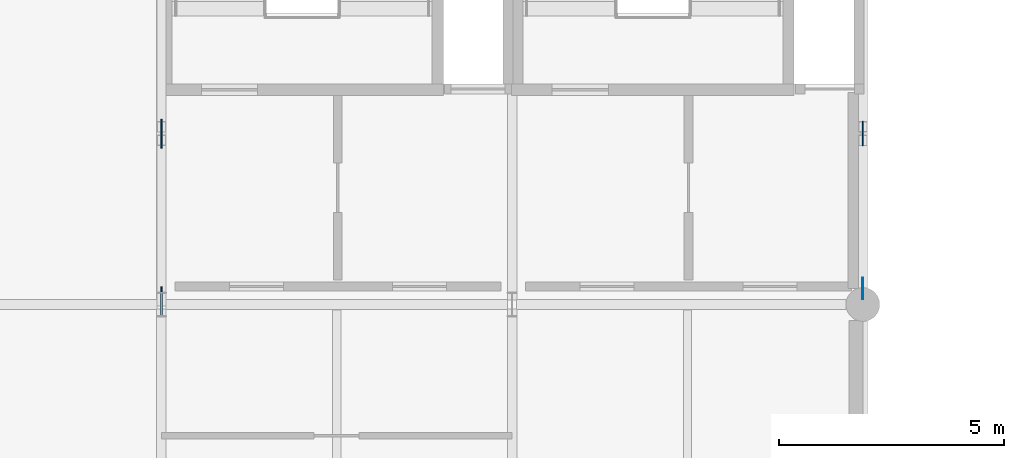
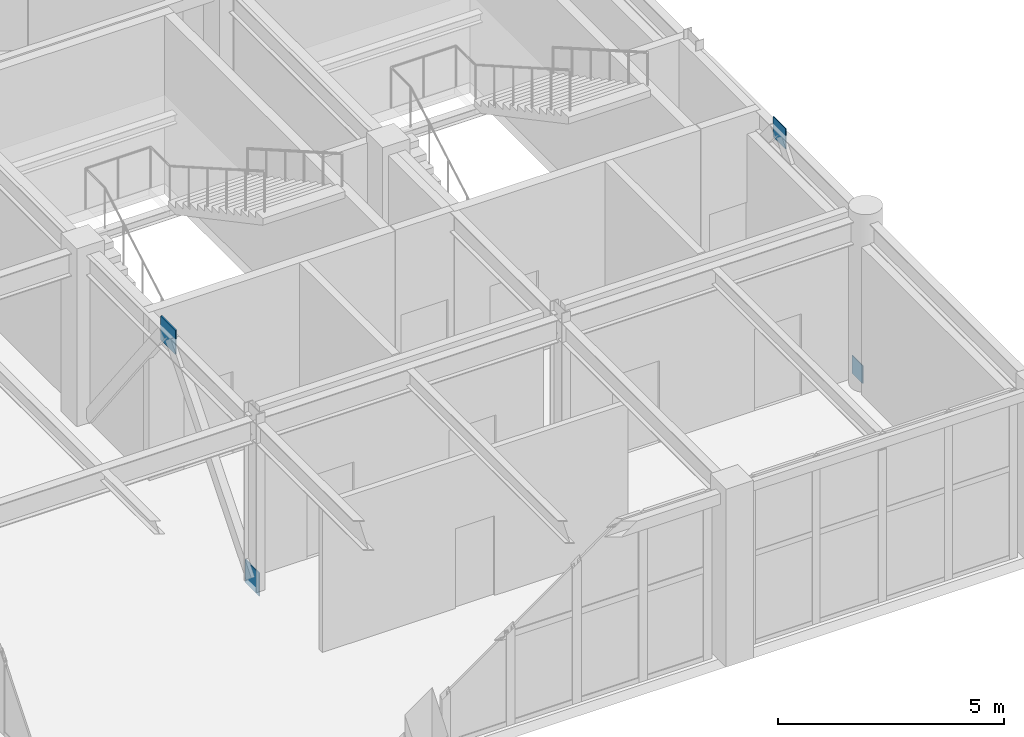
# One storey, part 60 of 72: 4 plates.
"""IFC4 building model written with IfcOpenShell, lengths in metres."""

from ifc_helpers import new_model, si_unit, direction, frame, origin, origin_2d, place, context, subcontext, project, spatial, rectangle, extrude, material, layer, layer_set, type_object, element, save


model = new_model("IFC4")

# Units and contexts
model_context = context("Model", 3, precision=1e-05, world=origin(), true_north=direction((0.0, 1.0)))
body_context = subcontext(model_context, "Body", "Model", "MODEL_VIEW")
ifc_project = project(units=[si_unit("LENGTHUNIT", "METRE"), si_unit("AREAUNIT", "SQUARE_METRE"), si_unit("VOLUMEUNIT", "CUBIC_METRE"), si_unit("PLANEANGLEUNIT", "RADIAN"), si_unit("MASSUNIT", "GRAM", prefix="KILO")], contexts=[model_context])

# Site, building, storey
site_placement = place(None, origin())
site = spatial("IfcSite", under=ifc_project, at=site_placement, CompositionType="ELEMENT")
building_placement = place(site_placement, origin())
building = spatial("IfcBuilding", under=site, at=building_placement, Name="Xicomal Pleat Aquarium", CompositionType="ELEMENT")
storey_placement = place(building_placement, frame((0.0, 0.0, 10.5)))
storey = spatial("IfcBuildingStorey", under=building, at=storey_placement, Name="L03", CompositionType="ELEMENT", Elevation=10.5)

# Plates
ifc_material_1 = material(Name="Structural steel A992 Gr 50", Category="steel")
ifc_layer_1 = layer(ifc_material_1, 0.02001953125)
ifc_layer_set_1 = layer_set([ifc_layer_1], Name="Structural steel A992 Gr 50")
plate_type_1 = type_object("IfcPlateType", Name="PLT-CAP-20", PredefinedType="SHEET", material=ifc_layer_set_1)
plate_1_placement = place(storey_placement, frame((157.199951171875, 83.955078125, -0.090087890625), z_axis=(0.0, 0.0, 1.0), x_axis=(0.0, 1.0, 0.0)))
element("IfcPlate", 1, at=plate_1_placement, inside=storey, type_object=plate_type_1, Name="L03 HSS end cap plate 24", PredefinedType="SHEET", context=body_context, shape_type="SweptSolid", body=[
    extrude(rectangle(XDim=0.47998046875, YDim=0.02001953125, at=origin_2d()), origin(), (0.0, 0.0, 1.0), 0.47998046875),
])
ifc_material_2 = material(Name="Structural steel A992 Gr 50", Category="steel")
ifc_layer_2 = layer(ifc_material_2, 0.030029296875)
ifc_layer_set_2 = layer_set([ifc_layer_2], Name="Structural steel A992 Gr 50")
plate_type_2 = type_object("IfcPlateType", Name="PLT-CAP-30", PredefinedType="SHEET", material=ifc_layer_set_2)
plate_2_placement = place(storey_placement, frame((141.60009765625, 83.68603515625, -0.16015625), z_axis=(0.0, 0.0, 1.0), x_axis=(0.0, 1.0, 0.0)))
element("IfcPlate", 2, at=plate_2_placement, inside=storey, type_object=plate_type_2, Name="L03 HSS end cap plate 29", PredefinedType="SHEET", context=body_context, shape_type="SweptSolid", body=[
    extrude(rectangle(XDim=0.6201171875, YDim=0.030029296875, at=origin_2d()), origin(), (0.0, 0.0, 1.0), 0.6201171875),
])
ifc_material_3 = material(Name="Structural steel A992 Gr 50", Category="steel")
ifc_layer_3 = layer(ifc_material_3, 0.02490234375)
ifc_layer_set_3 = layer_set([ifc_layer_3], Name="Structural steel A992 Gr 50")
plate_type_3 = type_object("IfcPlateType", Name="PLT-GUS-25", PredefinedType="USERDEFINED", material=ifc_layer_set_3)
plate_3_placement = place(storey_placement, frame((157.199951171875, 87.39990234375, 4.1748046875), z_axis=(0.0, 0.0, 1.0), x_axis=(0.0, 1.0, 0.0)))
element("IfcPlate", 3, at=plate_3_placement, inside=storey, type_object=plate_type_3, Name="L03 chevron gusset node plate 24", ObjectType="GUSSET PLATE", PredefinedType="USERDEFINED", context=body_context, shape_type="SweptSolid", body=[
    extrude(rectangle(XDim=0.550048828125, YDim=0.02490234375, at=origin_2d()), origin(), (0.0, 0.0, 1.0), 0.550048828125),
])
ifc_material_4 = material(Name="Structural steel A992 Gr 50", Category="steel")
ifc_layer_4 = layer(ifc_material_4, 0.034912109375)
ifc_layer_set_4 = layer_set([ifc_layer_4], Name="Structural steel A992 Gr 50")
plate_type_4 = type_object("IfcPlateType", Name="PLT-GUS-35", PredefinedType="USERDEFINED", material=ifc_layer_set_4)
plate_4_placement = place(storey_placement, frame((141.60009765625, 87.39990234375, 4.125), z_axis=(0.0, 0.0, 1.0), x_axis=(0.0, 1.0, 0.0)))
element("IfcPlate", 4, at=plate_4_placement, inside=storey, type_object=plate_type_4, Name="L03 chevron gusset node plate 29", ObjectType="GUSSET PLATE", PredefinedType="USERDEFINED", context=body_context, shape_type="SweptSolid", body=[
    extrude(rectangle(XDim=0.64990234375, YDim=0.034912109375, at=origin_2d()), origin(), (0.0, 0.0, 1.0), 0.64990234375),
])

save(model, "model.ifc")
